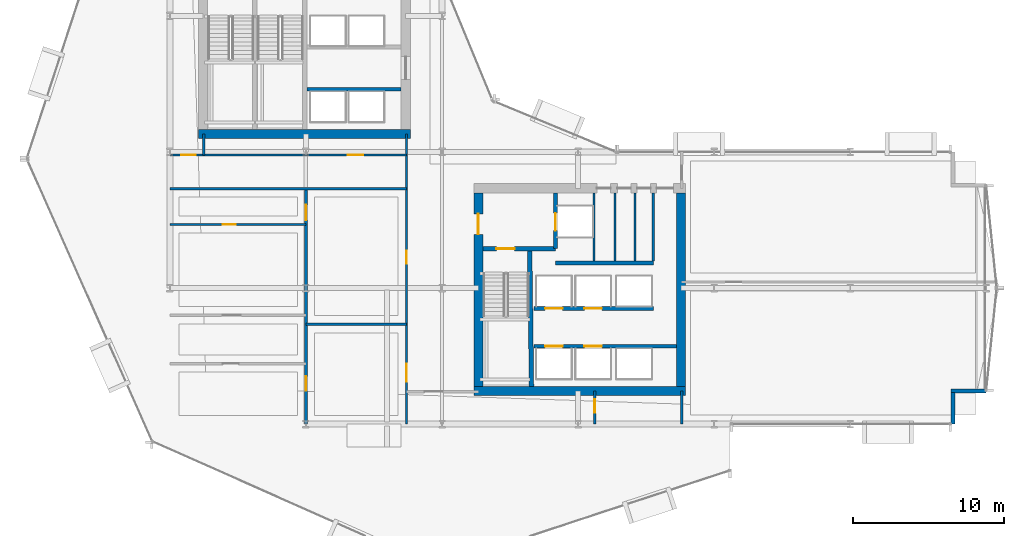
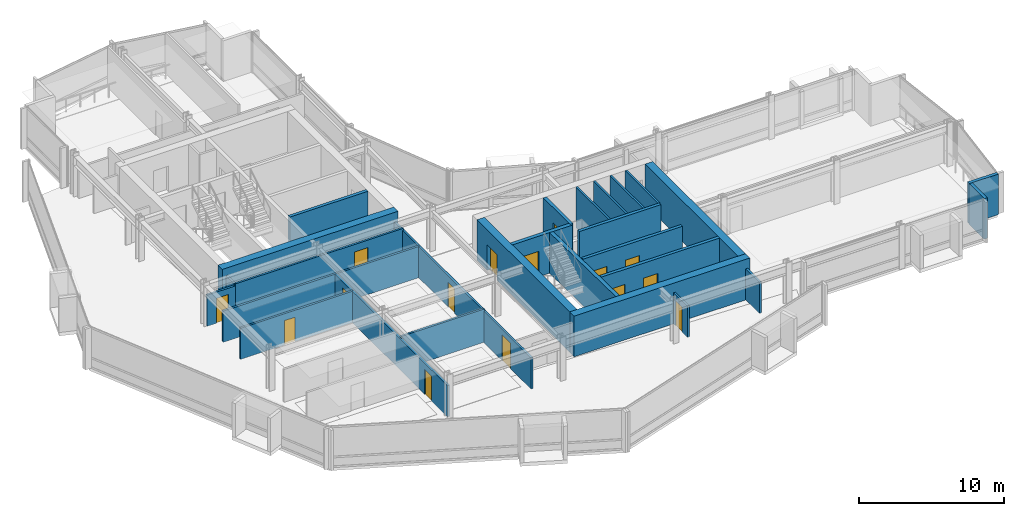
# One storey, part 27 of 34: 27 walls, 15 doors, 15 openings.
"""IFC4 building model written with IfcOpenShell, lengths in metres."""

import ifcopenshell
import ifcopenshell.guid

model = None  # the IFC model being written
_history = None  # IfcOwnerHistory: only IFC2X3 demands one
_inside = {}  # id of a spatial element -> (the spatial element, [elements in it])
_under = {}  # id of a project, library or spatial element -> (it, [spatial elements below it])
_declared = {}  # id of a project -> (the project, [libraries it declares])
_typed = {}  # id of a type object -> (the type object, [elements of that type])
_made_of = {}  # id of a material, layer set ... -> (it, [elements and type objects made of it])


def new_model(schema):
    """Start an empty IFC model of exactly this schema.

    Asked for "IFC4X3", IfcOpenShell would pick the latest addendum, in which some entities
    have other attributes; the version numbers below select the first issue.
    IFC2X3 requires an IfcOwnerHistory on every rooted entity: one is made here for all.
    """
    global model, _history
    if schema == "IFC4X3":
        model = ifcopenshell.file(schema_version=(4, 3, 0, 0))
    else:
        model = ifcopenshell.file(schema=schema)
    _inside.clear()
    _under.clear()
    _declared.clear()
    _typed.clear()
    _made_of.clear()
    _history = None
    if model.schema == "IFC2X3":
        org = make("IfcOrganization", Name="unknown")
        user = make(
            "IfcPersonAndOrganization",
            ThePerson=make("IfcPerson", FamilyName="unknown"),
            TheOrganization=org,
        )
        app = make(
            "IfcApplication",
            ApplicationDeveloper=org,
            Version="unknown",
            ApplicationFullName="unknown",
            ApplicationIdentifier="unknown",
        )
        _history = make(
            "IfcOwnerHistory",
            OwningUser=user,
            OwningApplication=app,
            ChangeAction="ADDED",
            CreationDate=0,
        )
    return model


def make(cls, **values):
    """One entity of the class cls with the attributes given. An attribute that is None is left unset."""
    return model.create_entity(
        cls, **{name: value for name, value in values.items() if value is not None}
    )


def rooted(cls, **values):
    """An entity with a GlobalId (a new one), such as an element, a storey or a relation."""
    return make(cls, GlobalId=ifcopenshell.guid.new(), OwnerHistory=_history, **values)


def si_unit(unit_type, name, prefix=None):
    """IfcSIUnit, for example si_unit("LENGTHUNIT", "METRE", prefix="MILLI")."""
    return make("IfcSIUnit", UnitType=unit_type, Prefix=prefix, Name=name)


def assignment(units):
    """IfcUnitAssignment: the units of a project."""
    return None if units is None else make("IfcUnitAssignment", Units=units)


def point(xyz):
    """IfcCartesianPoint."""
    return None if xyz is None else make("IfcCartesianPoint", Coordinates=xyz)


def direction(xyz):
    """IfcDirection."""
    return None if xyz is None else make("IfcDirection", DirectionRatios=xyz)


def frame(location, z_axis=None, x_axis=None):
    """IfcAxis2Placement3D, a coordinate frame: its origin and axes. An axis left out is left unset."""
    return make(
        "IfcAxis2Placement3D",
        Location=point(location),
        Axis=direction(z_axis),
        RefDirection=direction(x_axis),
    )


def frame_2d(location, x_axis=None):
    """IfcAxis2Placement2D, a coordinate frame in the plane: its origin and x axis."""
    return make(
        "IfcAxis2Placement2D", Location=point(location), RefDirection=direction(x_axis)
    )


def origin():
    """The frame at (0, 0, 0) with its axes left unset."""
    return frame((0.0, 0.0, 0.0))


def place(relative_to, where):
    """IfcLocalPlacement: puts the frame where relative to a parent placement (None: the world)."""
    return make(
        "IfcLocalPlacement", PlacementRelTo=relative_to, RelativePlacement=where
    )


def context(
    kind, dimensions, precision=None, world=None, true_north=None, identifier=None
):
    """IfcGeometricRepresentationContext, for example the 3D "Model" context."""
    return make(
        "IfcGeometricRepresentationContext",
        ContextIdentifier=identifier,
        ContextType=kind,
        CoordinateSpaceDimension=dimensions,
        Precision=precision,
        WorldCoordinateSystem=world,
        TrueNorth=true_north,
    )


def subcontext(parent, identifier, kind, view, scale=None):
    """IfcGeometricRepresentationSubContext, for example "Body" below "Model"."""
    return make(
        "IfcGeometricRepresentationSubContext",
        ContextIdentifier=identifier,
        ContextType=kind,
        ParentContext=parent,
        TargetScale=scale,
        TargetView=view,
    )


def project(units=None, contexts=None):
    """IfcProject with its units and contexts."""
    return rooted(
        "IfcProject",
        Name="project",
        RepresentationContexts=contexts,
        UnitsInContext=assignment(units),
    )


def spatial(cls, under=None, at=None, **own):
    """A site, building, storey or space (cls), placed at a placement, below another one or the project."""
    s = rooted(cls, ObjectPlacement=at, **own)
    if under is not None:
        _under.setdefault(under.id(), (under, []))[1].append(s)
    return s


def profile(cls, at=None, kind="AREA", **sizes):
    """A parametric profile (cls). Its sizes go by their IFC names, for example OverallWidth=200.0."""
    return make(cls, ProfileType=kind, Position=at, **sizes)


def rectangle(**sizes):
    """IfcRectangleProfileDef."""
    return profile("IfcRectangleProfileDef", **sizes)


def extrude(swept, where, along, depth):
    """IfcExtrudedAreaSolid: the profile swept, set in the frame where, extruded along a direction by depth."""
    return make(
        "IfcExtrudedAreaSolid",
        SweptArea=swept,
        Position=where,
        ExtrudedDirection=direction(along),
        Depth=depth,
    )


def shape(context_of_items, identifier, shape_type, items):
    """IfcShapeRepresentation: the items that make up one representation, for example the "Body"."""
    return make(
        "IfcShapeRepresentation",
        ContextOfItems=context_of_items,
        RepresentationIdentifier=identifier,
        RepresentationType=shape_type,
        Items=items,
    )


def material(Name=None, Category=None):
    """IfcMaterial."""
    return make("IfcMaterial", Name=Name, Category=Category)


def layer(
    of_material, thickness, ventilated=None, Name=None, Category=None, Priority=None
):
    """IfcMaterialLayer: one layer of a wall or slab, of a material (None: an air gap)."""
    return make(
        "IfcMaterialLayer",
        Material=of_material,
        LayerThickness=thickness,
        IsVentilated=ventilated,
        Name=Name,
        Category=Category,
        Priority=Priority,
    )


def layer_set(layers, Name=None):
    """IfcMaterialLayerSet."""
    return make("IfcMaterialLayerSet", MaterialLayers=layers, LayerSetName=Name)


def made_of(thing, what):
    """Note that an element or type object is made of a material, layer set ...; save() writes the relation."""
    if what is not None:
        _made_of.setdefault(what.id(), (what, []))[1].append(thing)
    return thing


def type_object(cls, material=None, **own):
    """A type object (cls), such as IfcWallType, which elements share."""
    return made_of(rooted(cls, **own), material)


def element(
    cls,
    number,
    at=None,
    inside=None,
    cuts=None,
    type_object=None,
    material=None,
    context=None,
    identifier="Body",
    shape_type=None,
    held_by="IfcProductDefinitionShape",
    body=None,
    shapes=None,
    **own,
):
    """One element of the class cls, such as IfcWall. Its Tag is "e" and its number.

    at: its placement. inside: the storey or other place that contains it. cuts: it is an
    opening in that element (IfcRelVoidsElement). A single representation is given by context,
    identifier, shape_type and body (its items); several are given by shapes. held_by: the class
    of the entity that holds the representations. save() writes the other relations.
    """
    e = rooted(cls, Tag="e%d" % number, ObjectPlacement=at, **own)
    if body is not None:
        shapes = [shape(context, identifier, shape_type, body)]
    if shapes is not None:
        e.Representation = make(held_by, Representations=shapes)
    if inside is not None:
        _inside.setdefault(inside.id(), (inside, []))[1].append(e)
    if cuts is not None:
        rooted(
            "IfcRelVoidsElement", RelatingBuildingElement=cuts, RelatedOpeningElement=e
        )
    if type_object is not None:
        _typed.setdefault(type_object.id(), (type_object, []))[1].append(e)
    return made_of(e, material)


def fill(opening, filler):
    """IfcRelFillsElement: the door or window that sits in an opening."""
    return rooted(
        "IfcRelFillsElement",
        RelatingOpeningElement=opening,
        RelatedBuildingElement=filler,
    )


def aggregate(whole, parts):
    """IfcRelAggregates: a whole, such as a stair, and the parts it consists of."""
    return rooted("IfcRelAggregates", RelatingObject=whole, RelatedObjects=parts)


def save(model, path):
    """Write the relations noted so far, then the file.

    IfcRelAggregates (storeys below a building ...), IfcRelContainedInSpatialStructure (elements
    in a storey), IfcRelDefinesByType, IfcRelAssociatesMaterial and IfcRelDeclares: one each for
    every whole, place, type object, material and project.
    """
    for whole, parts in _under.values():
        aggregate(whole, parts)
    for where, things in _inside.values():
        rooted(
            "IfcRelContainedInSpatialStructure",
            RelatedElements=things,
            RelatingStructure=where,
        )
    for kind, things in _typed.values():
        rooted("IfcRelDefinesByType", RelatedObjects=things, RelatingType=kind)
    for what, things in _made_of.values():
        rooted("IfcRelAssociatesMaterial", RelatedObjects=things, RelatingMaterial=what)
    for by, libraries in _declared.values():
        rooted("IfcRelDeclares", RelatingContext=by, RelatedDefinitions=libraries)
    model.write(path)


model = new_model("IFC4")

# Units and contexts
model_context = context("Model", 3, precision=1e-05, world=origin(), true_north=direction((0.0, 1.0)))
body_context = subcontext(model_context, "Body", "Model", "MODEL_VIEW")
ifc_project = project(units=[si_unit("LENGTHUNIT", "METRE"), si_unit("AREAUNIT", "SQUARE_METRE"), si_unit("VOLUMEUNIT", "CUBIC_METRE"), si_unit("PLANEANGLEUNIT", "RADIAN"), si_unit("MASSUNIT", "GRAM", prefix="KILO")], contexts=[model_context])

# Site, building, storey
site_placement = place(None, origin())
site = spatial("IfcSite", under=ifc_project, at=site_placement, CompositionType="ELEMENT")
building_placement = place(site_placement, origin())
building = spatial("IfcBuilding", under=site, at=building_placement, Name="Solvaryn Broadcast Tower", CompositionType="ELEMENT")
storey_placement = place(building_placement, frame((0.0, 0.0, 58.199951171875)))
storey = spatial("IfcBuildingStorey", under=building, at=storey_placement, Name="L13", CompositionType="ELEMENT", Elevation=58.199951171875)

# Walls
ifc_material_1 = material(Name="Concrete f'c 70 MPa", Category="concrete")
ifc_layer_1 = layer(ifc_material_1, 0.60009765625)
ifc_layer_set_1 = layer_set([ifc_layer_1], Name="CW-SHEAR-600")
wall_type_1 = type_object("IfcWallType", Name="CW-SHEAR-600", PredefinedType="SHEAR", material=ifc_layer_set_1)
for number, where, z_axis, x_axis, name in (
    (1, (10.89990234375, 28.199951171875, 0.0), (0.0, 0.0, 1.0), (1.0, 0.0, 0.0), "L13 West Core South Shear Wall"),
    (2, (29.10009765625, 11.199951171875, 0.0), (0.0, 0.0, 1.0), (1.0, 0.0, 0.0), "L13 East Core South Shear Wall"),
):
    element("IfcWall", number, at=place(storey_placement, frame(where, z_axis=z_axis, x_axis=x_axis)), inside=storey, type_object=wall_type_1, Name=name, PredefinedType="SHEAR", context=body_context, shape_type="SweptSolid", body=[
        extrude(rectangle(XDim=14.0, YDim=0.60009765625, at=frame_2d((7.0, 0.0))), origin(), (0.0, 0.0, 1.0), 3.420166015625),
    ])

# Wall, opening, door
wall_1_placement = place(storey_placement, frame((29.39990234375, 24.300048828125, 0.0), z_axis=(0.0, 0.0, 1.0), x_axis=(0.0, -1.0, 0.0)))
wall_1 = element("IfcWall", 3, at=wall_1_placement, inside=storey, type_object=wall_type_1, Name="L13 East Core West Shear Wall", PredefinedType="SHEAR", context=body_context, shape_type="SweptSolid", body=[
    extrude(rectangle(XDim=12.800048828125, YDim=0.60009765625, at=frame_2d((6.39990234375, 0.0))), origin(), (0.0, 0.0, 1.0), 3.420166015625),
])
opening_1_placement = place(wall_1_placement, frame((1.39990234375, 0.0, 0.0)))
opening_1 = element("IfcOpeningElement", 4, at=opening_1_placement, cuts=wall_1, Name="Opening FD90B", PredefinedType="OPENING", context=body_context, shape_type="SweptSolid", body=[
    extrude(rectangle(XDim=1.35009765625, YDim=2.14990234375, at=frame_2d((0.675048828125, 1.074951171875))), frame((0.0, 0.31005859375, 0.0), z_axis=(0.0, -1.0, 0.0), x_axis=(1.0, 0.0, 0.0)), (0.0, 0.0, 1.0), 0.6201171875),
])
ifc_material_2 = material(Name="Flush Acoustic Steel and Timber Door Assembly", Category="steel")
door_type_1 = type_object("IfcDoorType", Name="FD90-LOBBY-1350X2150", OperationType="NOTDEFINED", PredefinedType="DOOR", material=ifc_material_2)
door_1_placement = place(opening_1_placement, origin())
door_1 = element("IfcDoor", 5, at=door_1_placement, inside=storey, type_object=door_type_1, Name="L13 East FSAE Lobby Door", OperationType="SINGLE_SWING_RIGHT", OverallHeight=2.14990234375, OverallWidth=1.35009765625, PredefinedType="DOOR", context=body_context, shape_type="SweptSolid", body=[
    extrude(rectangle(XDim=1.35009765625, YDim=2.14990234375, at=frame_2d((0.675048828125, 1.074951171875))), frame((0.0, 0.02490234375, 0.0), z_axis=(0.0, -1.0, 0.0), x_axis=(1.0, 0.0, 0.0)), (0.0, 0.0, 1.0), 0.050048828125),
])
fill(opening_1, door_1)

# Walls
wall_2_placement = place(storey_placement, frame((42.800048828125, 11.5, 0.0), z_axis=(0.0, 0.0, 1.0), x_axis=(0.0, 1.0, 0.0)))
element("IfcWall", 6, at=wall_2_placement, inside=storey, type_object=wall_type_1, Name="L13 East Core East Shear Wall", PredefinedType="SHEAR", context=body_context, shape_type="SweptSolid", body=[
    extrude(rectangle(XDim=12.800048828125, YDim=0.60009765625, at=frame_2d((6.39990234375, 0.0))), origin(), (0.0, 0.0, 1.0), 3.420166015625),
])
ifc_material_3 = material(Name="Concrete f'c 50 MPa", Category="concrete")
ifc_layer_2 = layer(ifc_material_3, 0.260009765625)
ifc_layer_set_2 = layer_set([ifc_layer_2], Name="EW-PIER-260")
wall_type_2 = type_object("IfcWallType", Name="EW-PIER-260", PredefinedType="SOLIDWALL", material=ifc_layer_set_2)
wall_3_placement = place(storey_placement, frame((60.800048828125, 9.0, 0.0), z_axis=(0.0, 0.0, 1.0), x_axis=(0.0, 1.0, 0.0)))
element("IfcWall", 7, at=wall_3_placement, inside=storey, type_object=wall_type_2, Name="L13 Notched Corner Pier Wall NSE1", PredefinedType="SOLIDWALL", context=body_context, shape_type="SweptSolid", body=[
    extrude(rectangle(XDim=2.080078125, YDim=0.260009765625, at=frame_2d((1.0400390625, 0.0))), origin(), (0.0, 0.0, 1.0), 3.420166015625),
])
wall_4_placement = place(storey_placement, frame((60.679931640625, 11.199951171875, 0.0), z_axis=(0.0, 0.0, 1.0), x_axis=(1.0, 0.0, 0.0)))
element("IfcWall", 8, at=wall_4_placement, inside=storey, type_object=wall_type_2, Name="L13 Notched Corner Pier Wall NSE2", PredefinedType="SOLIDWALL", context=body_context, shape_type="SweptSolid", body=[
    extrude(rectangle(XDim=2.320068359375, YDim=0.260009765625, at=frame_2d((1.16015625, 0.0))), origin(), (0.0, 0.0, 1.0), 3.420166015625),
])
ifc_material_4 = material(Name="Metal-Stud Service Core Partition")
ifc_layer_3 = layer(ifc_material_4, 0.14990234375)
ifc_layer_set_3 = layer_set([ifc_layer_3], Name="IW-PART-150")
wall_type_3 = type_object("IfcWallType", Name="IW-PART-150", PredefinedType="PARTITIONING", material=ifc_layer_set_3)
for number, where, z_axis, x_axis, name in (
    (9, (37.050048828125, 19.780029296875, 0.0), (0.0, 0.0, 1.0), (0.0, 1.0, 0.0), "L13 Interior Partition IW-L13-CE-FL2E"),
    (10, (38.43994140625, 19.780029296875, 0.0), (0.0, 0.0, 1.0), (0.0, 1.0, 0.0), "L13 Interior Partition IW-L13-CE-V1"),
    (11, (39.77001953125, 19.780029296875, 0.0), (0.0, 0.0, 1.0), (0.0, 1.0, 0.0), "L13 Interior Partition IW-L13-CE-V2"),
    (12, (40.97998046875, 19.780029296875, 0.0), (0.0, 0.0, 1.0), (0.0, 1.0, 0.0), "L13 Interior Partition IW-L13-CE-V3"),
):
    element("IfcWall", number, at=place(storey_placement, frame(where, z_axis=z_axis, x_axis=x_axis)), inside=storey, type_object=wall_type_3, Name=name, PredefinedType="PARTITIONING", context=body_context, shape_type="SweptSolid", body=[
        extrude(rectangle(XDim=4.52001953125, YDim=0.14990234375, at=frame_2d((2.260009765625, 0.0))), origin(), (0.0, 0.0, 1.0), 3.420166015625),
    ])

# Wall, opening, door
wall_5_placement = place(storey_placement, frame((37.10009765625, 9.0, 0.0), z_axis=(0.0, 0.0, 1.0), x_axis=(0.0, 1.0, 0.0)))
wall_5 = element("IfcWall", 13, at=wall_5_placement, inside=storey, type_object=wall_type_3, Name="L13 Interior Partition IW-L13-SC-V", PredefinedType="PARTITIONING", context=body_context, shape_type="SweptSolid", body=[
    extrude(rectangle(XDim=2.199951171875, YDim=0.14990234375, at=frame_2d((1.10009765625, 0.0))), origin(), (0.0, 0.0, 1.0), 2.626953125),
])
opening_2_placement = place(wall_5_placement, frame((0.75, 0.0, 0.0)))
opening_2 = element("IfcOpeningElement", 14, at=opening_2_placement, cuts=wall_5, Name="Opening FD60C", PredefinedType="OPENING", context=body_context, shape_type="SweptSolid", body=[
    extrude(rectangle(XDim=0.89990234375, YDim=2.10009765625, at=frame_2d((0.449951171875, 1.050048828125))), frame((0.0, 0.0849609375, 0.0), z_axis=(0.0, -1.0, 0.0), x_axis=(1.0, 0.0, 0.0)), (0.0, 0.0, 1.0), 0.169921875),
])
ifc_material_5 = material(Name="Flush Acoustic Steel and Timber Door Assembly", Category="steel")
door_type_2 = type_object("IfcDoorType", Name="FD60-SERV-900X2100", OperationType="NOTDEFINED", PredefinedType="DOOR", material=ifc_material_5)
door_2_placement = place(opening_2_placement, origin())
door_2 = element("IfcDoor", 15, at=door_2_placement, inside=storey, type_object=door_type_2, Name="L13 Door DR-L13-SC1", OperationType="SINGLE_SWING_LEFT", OverallHeight=2.10009765625, OverallWidth=0.89990234375, PredefinedType="DOOR", context=body_context, shape_type="SweptSolid", body=[
    extrude(rectangle(XDim=0.89990234375, YDim=2.10009765625, at=frame_2d((0.449951171875, 1.050048828125))), frame((0.0, 0.02490234375, 0.0), z_axis=(0.0, -1.0, 0.0), x_axis=(1.0, 0.0, 0.0)), (0.0, 0.0, 1.0), 0.050048828125),
])
fill(opening_2, door_2)

ifc_material_6 = material(Name="Metal-Stud Gypsum Office Partition")
ifc_layer_4 = layer(ifc_material_6, 0.159912109375)
ifc_layer_set_4 = layer_set([ifc_layer_4], Name="IW-PART-160")
wall_type_4 = type_object("IfcWallType", Name="IW-PART-160", PredefinedType="PARTITIONING", material=ifc_layer_set_4)
wall_6_placement = place(storey_placement, frame((9.0, 26.800048828125, 0.0), z_axis=(0.0, 0.0, 1.0), x_axis=(1.0, 0.0, 0.0)))
wall_6 = element("IfcWall", 16, at=wall_6_placement, inside=storey, type_object=wall_type_4, Name="L13 Interior Partition IW-L13-WM-S", PredefinedType="PARTITIONING", context=body_context, shape_type="SweptSolid", body=[
    extrude(rectangle(XDim=2.25, YDim=0.159912109375, at=frame_2d((1.125, 0.0))), origin(), (0.0, 0.0, 1.0), 2.626953125),
])
opening_3_placement = place(wall_6_placement, frame((0.75, 0.0, 0.0)))
opening_3 = element("IfcOpeningElement", 17, at=opening_3_placement, cuts=wall_6, Name="Opening ID01", PredefinedType="OPENING", context=body_context, shape_type="SweptSolid", body=[
    extrude(rectangle(XDim=0.949951171875, YDim=2.10009765625, at=frame_2d((0.47509765625, 1.050048828125))), frame((0.0, 0.090087890625, 0.0), z_axis=(0.0, -1.0, 0.0), x_axis=(1.0, 0.0, 0.0)), (0.0, 0.0, 1.0), 0.179931640625),
])
ifc_material_7 = material(Name="Flush Acoustic Steel and Timber Door Assembly", Category="steel")
door_type_3 = type_object("IfcDoorType", Name="ID-01-950X2100", OperationType="NOTDEFINED", PredefinedType="DOOR", material=ifc_material_7)
door_3_placement = place(opening_3_placement, origin())
door_3 = element("IfcDoor", 18, at=door_3_placement, inside=storey, type_object=door_type_3, Name="L13 Door DR-L13-WM0", OperationType="SINGLE_SWING_LEFT", OverallHeight=2.10009765625, OverallWidth=0.949951171875, PredefinedType="DOOR", context=body_context, shape_type="SweptSolid", body=[
    extrude(rectangle(XDim=0.949951171875, YDim=2.10009765625, at=frame_2d((0.47509765625, 1.050048828125))), frame((0.0, 0.02490234375, 0.0), z_axis=(0.0, -1.0, 0.0), x_axis=(1.0, 0.0, 0.0)), (0.0, 0.0, 1.0), 0.050048828125),
])
fill(opening_3, door_3)

# Wall, openings, doors
wall_7_placement = place(storey_placement, frame((24.64990234375, 9.0, 0.0), z_axis=(0.0, 0.0, 1.0), x_axis=(0.0, 1.0, 0.0)))
wall_7 = element("IfcWall", 19, at=wall_7_placement, inside=storey, type_object=wall_type_4, Name="L13 Interior Partition IW-L13-SW-EB", PredefinedType="PARTITIONING", context=body_context, shape_type="SweptSolid", body=[
    extrude(rectangle(XDim=19.199951171875, YDim=0.159912109375, at=frame_2d((9.60009765625, 0.0))), origin(), (0.0, 0.0, 1.0), 2.626953125),
])
opening_4_placement = place(wall_7_placement, frame((2.800048828125, 0.0, 0.0)))
opening_4 = element("IfcOpeningElement", 20, at=opening_4_placement, cuts=wall_7, Name="Opening ID04", PredefinedType="OPENING", context=body_context, shape_type="SweptSolid", body=[
    extrude(rectangle(XDim=1.199951171875, YDim=2.14990234375, at=frame_2d((0.60009765625, 1.074951171875))), frame((0.0, 0.090087890625, 0.0), z_axis=(0.0, -1.0, 0.0), x_axis=(1.0, 0.0, 0.0)), (0.0, 0.0, 1.0), 0.179931640625),
])
opening_5_placement = place(wall_7_placement, frame((10.590087890625, 0.0, 0.0)))
opening_5 = element("IfcOpeningElement", 21, at=opening_5_placement, cuts=wall_7, Name="Opening ID07", PredefinedType="OPENING", context=body_context, shape_type="SweptSolid", body=[
    extrude(rectangle(XDim=0.860107421875, YDim=2.050048828125, at=frame_2d((0.43017578125, 1.02490234375))), frame((0.0, 0.090087890625, 0.0), z_axis=(0.0, -1.0, 0.0), x_axis=(1.0, 0.0, 0.0)), (0.0, 0.0, 1.0), 0.179931640625),
])
ifc_material_8 = material(Name="Flush Acoustic Steel and Timber Door Assembly", Category="steel")
door_type_4 = type_object("IfcDoorType", Name="ID-04-1200X2150", OperationType="NOTDEFINED", PredefinedType="DOOR", material=ifc_material_8)
door_4_placement = place(opening_4_placement, origin())
door_4 = element("IfcDoor", 22, at=door_4_placement, inside=storey, type_object=door_type_4, Name="L13 Door DR-L13-SWE-1", OperationType="SINGLE_SWING_RIGHT", OverallHeight=2.14990234375, OverallWidth=1.199951171875, PredefinedType="DOOR", context=body_context, shape_type="SweptSolid", body=[
    extrude(rectangle(XDim=1.199951171875, YDim=2.14990234375, at=frame_2d((0.60009765625, 1.074951171875))), frame((0.0, 0.02490234375, 0.0), z_axis=(0.0, -1.0, 0.0), x_axis=(1.0, 0.0, 0.0)), (0.0, 0.0, 1.0), 0.050048828125),
])
fill(opening_4, door_4)
ifc_material_9 = material(Name="Flush Acoustic Steel and Timber Door Assembly", Category="steel")
door_type_5 = type_object("IfcDoorType", Name="ID-07-860X2050", OperationType="NOTDEFINED", PredefinedType="DOOR", material=ifc_material_9)
door_5_placement = place(opening_5_placement, origin())
door_5 = element("IfcDoor", 23, at=door_5_placement, inside=storey, type_object=door_type_5, Name="L13 Door DR-L13-SWE-2", OperationType="SINGLE_SWING_LEFT", OverallHeight=2.050048828125, OverallWidth=0.860107421875, PredefinedType="DOOR", context=body_context, shape_type="SweptSolid", body=[
    extrude(rectangle(XDim=0.860107421875, YDim=2.050048828125, at=frame_2d((0.43017578125, 1.02490234375))), frame((0.0, 0.02490234375, 0.0), z_axis=(0.0, -1.0, 0.0), x_axis=(1.0, 0.0, 0.0)), (0.0, 0.0, 1.0), 0.050048828125),
])
fill(opening_5, door_5)

# Wall
wall_8_placement = place(storey_placement, frame((9.0, 24.580078125, 0.0), z_axis=(0.0, 0.0, 1.0), x_axis=(1.0, 0.0, 0.0)))
element("IfcWall", 24, at=wall_8_placement, inside=storey, type_object=wall_type_4, Name="L13 Interior Partition IW-L13-SW-NB", PredefinedType="PARTITIONING", context=body_context, shape_type="SweptSolid", body=[
    extrude(rectangle(XDim=15.64990234375, YDim=0.159912109375, at=frame_2d((7.824951171875, 0.0))), origin(), (0.0, 0.0, 1.0), 2.626953125),
])

# Wall, opening, door
wall_9_placement = place(storey_placement, frame((11.25, 26.800048828125, 0.0), z_axis=(0.0, 0.0, 1.0), x_axis=(1.0, 0.0, 0.0)))
wall_9 = element("IfcWall", 25, at=wall_9_placement, inside=storey, type_object=wall_type_4, Name="L13 Interior Partition IW-L13-SW-N2", PredefinedType="PARTITIONING", context=body_context, shape_type="SweptSolid", body=[
    extrude(rectangle(XDim=13.39990234375, YDim=0.159912109375, at=frame_2d((6.699951171875, 0.0))), origin(), (0.0, 0.0, 1.0), 2.7890625),
])
opening_6_placement = place(wall_9_placement, frame((9.5, 0.0, 0.0)))
opening_6 = element("IfcOpeningElement", 26, at=opening_6_placement, cuts=wall_9, Name="Opening ID03", PredefinedType="OPENING", context=body_context, shape_type="SweptSolid", body=[
    extrude(rectangle(XDim=1.050048828125, YDim=2.14990234375, at=frame_2d((0.52490234375, 1.074951171875))), frame((0.0, 0.090087890625, 0.0), z_axis=(0.0, -1.0, 0.0), x_axis=(1.0, 0.0, 0.0)), (0.0, 0.0, 1.0), 0.179931640625),
])
ifc_material_10 = material(Name="Flush Acoustic Steel and Timber Door Assembly", Category="steel")
door_type_6 = type_object("IfcDoorType", Name="ID-03-1050X2150", OperationType="NOTDEFINED", PredefinedType="DOOR", material=ifc_material_10)
door_6_placement = place(opening_6_placement, origin())
door_6 = element("IfcDoor", 27, at=door_6_placement, inside=storey, type_object=door_type_6, Name="L13 Door DR-L13-SW-ALC", OperationType="SINGLE_SWING_LEFT", OverallHeight=2.14990234375, OverallWidth=1.050048828125, PredefinedType="DOOR", context=body_context, shape_type="SweptSolid", body=[
    extrude(rectangle(XDim=1.050048828125, YDim=2.14990234375, at=frame_2d((0.52490234375, 1.074951171875))), frame((0.0, 0.02490234375, 0.0), z_axis=(0.0, -1.0, 0.0), x_axis=(1.0, 0.0, 0.0)), (0.0, 0.0, 1.0), 0.050048828125),
])
fill(opening_6, door_6)

# Walls
wall_10_placement = place(storey_placement, frame((11.25, 26.800048828125, 0.0), z_axis=(0.0, 0.0, 1.0), x_axis=(0.0, 1.0, 0.0)))
element("IfcWall", 28, at=wall_10_placement, inside=storey, type_object=wall_type_4, Name="L13 Interior Partition IW-L13-SW-ALW", PredefinedType="PARTITIONING", context=body_context, shape_type="SweptSolid", body=[
    extrude(rectangle(XDim=1.39990234375, YDim=0.159912109375, at=frame_2d((0.699951171875, 0.0))), origin(), (0.0, 0.0, 1.0), 2.7890625),
])
wall_11_placement = place(storey_placement, frame((18.0, 15.60009765625, 0.0), z_axis=(0.0, 0.0, 1.0), x_axis=(1.0, 0.0, 0.0)))
element("IfcWall", 29, at=wall_11_placement, inside=storey, type_object=wall_type_4, Name="L13 Interior Partition IW-L13-SWE-H1", PredefinedType="PARTITIONING", context=body_context, shape_type="SweptSolid", body=[
    extrude(rectangle(XDim=6.64990234375, YDim=0.159912109375, at=frame_2d((3.324951171875, 0.0))), origin(), (0.0, 0.0, 1.0), 2.7919921875),
])

# Wall, opening, door
wall_12_placement = place(storey_placement, frame((9.0, 22.199951171875, 0.0), z_axis=(0.0, 0.0, 1.0), x_axis=(1.0, 0.0, 0.0)))
wall_12 = element("IfcWall", 30, at=wall_12_placement, inside=storey, type_object=wall_type_4, Name="L13 Interior Partition IW-L13-SWW-H3", PredefinedType="PARTITIONING", context=body_context, shape_type="SweptSolid", body=[
    extrude(rectangle(XDim=9.0, YDim=0.159912109375, at=frame_2d((4.5, 0.0))), origin(), (0.0, 0.0, 1.0), 2.626953125),
])
opening_7_placement = place(wall_12_placement, frame((3.5, 0.0, 0.0)))
opening_7 = element("IfcOpeningElement", 31, at=opening_7_placement, cuts=wall_12, Name="Opening ID07", PredefinedType="OPENING", context=body_context, shape_type="SweptSolid", body=[
    extrude(rectangle(XDim=0.860107421875, YDim=2.050048828125, at=frame_2d((0.43017578125, 1.02490234375))), frame((0.0, 0.090087890625, 0.0), z_axis=(0.0, -1.0, 0.0), x_axis=(1.0, 0.0, 0.0)), (0.0, 0.0, 1.0), 0.179931640625),
])
door_7_placement = place(opening_7_placement, origin())
door_7 = element("IfcDoor", 32, at=door_7_placement, inside=storey, type_object=door_type_5, Name="L13 Door DR-L13-SWW-3", OperationType="SINGLE_SWING_RIGHT", OverallHeight=2.050048828125, OverallWidth=0.860107421875, PredefinedType="DOOR", context=body_context, shape_type="SweptSolid", body=[
    extrude(rectangle(XDim=0.860107421875, YDim=2.050048828125, at=frame_2d((0.43017578125, 1.02490234375))), frame((0.0, 0.02490234375, 0.0), z_axis=(0.0, -1.0, 0.0), x_axis=(1.0, 0.0, 0.0)), (0.0, 0.0, 1.0), 0.050048828125),
])
fill(opening_7, door_7)

# Wall
wall_13_placement = place(storey_placement, frame((42.85009765625, 9.0, 0.0), z_axis=(0.0, 0.0, 1.0), x_axis=(0.0, 1.0, 0.0)))
element("IfcWall", 33, at=wall_13_placement, inside=storey, type_object=wall_type_4, Name="L13 Interior Partition IW-L13-SC-E", PredefinedType="PARTITIONING", context=body_context, shape_type="SweptSolid", body=[
    extrude(rectangle(XDim=2.199951171875, YDim=0.159912109375, at=frame_2d((1.10009765625, 0.0))), origin(), (0.0, 0.0, 1.0), 2.626953125),
])

# Wall, openings, doors
ifc_material_11 = material(Name="Acoustic Metal-Stud Gypsum Partition")
ifc_layer_5 = layer(ifc_material_11, 0.179931640625)
ifc_layer_set_5 = layer_set([ifc_layer_5], Name="IW-PART-180")
wall_type_5 = type_object("IfcWallType", Name="IW-PART-180", PredefinedType="PARTITIONING", material=ifc_layer_set_5)
wall_14_placement = place(storey_placement, frame((18.0, 9.0, 0.0), z_axis=(0.0, 0.0, 1.0), x_axis=(0.0, 1.0, 0.0)))
wall_14 = element("IfcWall", 34, at=wall_14_placement, inside=storey, type_object=wall_type_5, Name="L13 Interior Partition IW-L13-SW-VX", PredefinedType="PARTITIONING", context=body_context, shape_type="SweptSolid", body=[
    extrude(rectangle(XDim=15.580078125, YDim=0.179931640625, at=frame_2d((7.7900390625, 0.0))), origin(), (0.0, 0.0, 1.0), 2.626953125),
])
opening_8_placement = place(wall_14_placement, frame((2.199951171875, 0.0, 0.0)))
opening_8 = element("IfcOpeningElement", 35, at=opening_8_placement, cuts=wall_14, Name="Opening ID01", PredefinedType="OPENING", context=body_context, shape_type="SweptSolid", body=[
    extrude(rectangle(XDim=0.949951171875, YDim=2.10009765625, at=frame_2d((0.47509765625, 1.050048828125))), frame((0.0, 0.099853515625, 0.0), z_axis=(0.0, -1.0, 0.0), x_axis=(1.0, 0.0, 0.0)), (0.0, 0.0, 1.0), 0.199951171875),
])
opening_9_placement = place(wall_14_placement, frame((13.5, 0.0, 0.0)))
opening_9 = element("IfcOpeningElement", 36, at=opening_9_placement, cuts=wall_14, Name="Opening ID02", PredefinedType="OPENING", context=body_context, shape_type="SweptSolid", body=[
    extrude(rectangle(XDim=1.0, YDim=2.10009765625, at=frame_2d((0.5, 1.050048828125))), frame((0.0, 0.099853515625, 0.0), z_axis=(0.0, -1.0, 0.0), x_axis=(1.0, 0.0, 0.0)), (0.0, 0.0, 1.0), 0.199951171875),
])
door_8_placement = place(opening_8_placement, origin())
door_8 = element("IfcDoor", 37, at=door_8_placement, inside=storey, type_object=door_type_3, Name="L13 Door DR-L13-SWW-X1", OperationType="SINGLE_SWING_RIGHT", OverallHeight=2.10009765625, OverallWidth=0.949951171875, PredefinedType="DOOR", context=body_context, shape_type="SweptSolid", body=[
    extrude(rectangle(XDim=0.949951171875, YDim=2.10009765625, at=frame_2d((0.47509765625, 1.050048828125))), frame((0.0, 0.02490234375, 0.0), z_axis=(0.0, -1.0, 0.0), x_axis=(1.0, 0.0, 0.0)), (0.0, 0.0, 1.0), 0.050048828125),
])
fill(opening_8, door_8)
ifc_material_12 = material(Name="Flush Acoustic Steel and Timber Door Assembly", Category="steel")
door_type_7 = type_object("IfcDoorType", Name="ID-02-1000X2100", OperationType="NOTDEFINED", PredefinedType="DOOR", material=ifc_material_12)
door_9_placement = place(opening_9_placement, origin())
door_9 = element("IfcDoor", 38, at=door_9_placement, inside=storey, type_object=door_type_7, Name="L13 Door DR-L13-SWW-X2", OperationType="SINGLE_SWING_LEFT", OverallHeight=2.10009765625, OverallWidth=1.0, PredefinedType="DOOR", context=body_context, shape_type="SweptSolid", body=[
    extrude(rectangle(XDim=1.0, YDim=2.10009765625, at=frame_2d((0.5, 1.050048828125))), frame((0.0, 0.02490234375, 0.0), z_axis=(0.0, -1.0, 0.0), x_axis=(1.0, 0.0, 0.0)), (0.0, 0.0, 1.0), 0.050048828125),
])
fill(opening_9, door_9)

# Wall
ifc_material_13 = material(Name="Concrete f'c 60 MPa", Category="concrete")
ifc_layer_6 = layer(ifc_material_13, 0.25)
ifc_layer_set_6 = layer_set([ifc_layer_6], Name="SW-SHAFT-250")
wall_type_6 = type_object("IfcWallType", Name="SW-SHAFT-250", PredefinedType="PARTITIONING", material=ifc_layer_set_6)
wall_15_placement = place(storey_placement, frame((18.070068359375, 31.14990234375, 0.0), z_axis=(0.0, 0.0, 1.0), x_axis=(1.0, 0.0, 0.0)))
element("IfcWall", 39, at=wall_15_placement, inside=storey, type_object=wall_type_6, Name="L13 High-Rise Lift Bank South Wall", PredefinedType="PARTITIONING", context=body_context, shape_type="SweptSolid", body=[
    extrude(rectangle(XDim=6.22998046875, YDim=0.25, at=frame_2d((3.114990234375, 0.0))), origin(), (0.0, 0.0, 1.0), 3.420166015625),
])

# Wall, opening, door
wall_16_placement = place(storey_placement, frame((34.5, 20.60009765625, 0.0), z_axis=(0.0, 0.0, 1.0), x_axis=(0.0, 1.0, 0.0)))
wall_16 = element("IfcWall", 40, at=wall_16_placement, inside=storey, type_object=wall_type_6, Name="L13 East FSAE Lobby East Wall", PredefinedType="PARTITIONING", context=body_context, shape_type="SweptSolid", body=[
    extrude(rectangle(XDim=3.699951171875, YDim=0.25, at=frame_2d((1.85009765625, 0.0))), origin(), (0.0, 0.0, 1.0), 3.420166015625),
])
opening_10_placement = place(wall_16_placement, frame((1.199951171875, 0.0, 0.0)))
opening_10 = element("IfcOpeningElement", 41, at=opening_10_placement, cuts=wall_16, Name="Opening LD01", PredefinedType="OPENING", context=body_context, shape_type="SweptSolid", body=[
    extrude(rectangle(XDim=1.14990234375, YDim=2.14990234375, at=frame_2d((0.574951171875, 1.074951171875))), frame((0.0, 0.135009765625, 0.0), z_axis=(0.0, -1.0, 0.0), x_axis=(1.0, 0.0, 0.0)), (0.0, 0.0, 1.0), 0.27001953125),
])
ifc_material_14 = material(Name="Flush Acoustic Steel and Timber Door Assembly", Category="steel")
door_type_8 = type_object("IfcDoorType", Name="LD-LIFT-1150X2150", OperationType="NOTDEFINED", PredefinedType="DOOR", material=ifc_material_14)
door_10_placement = place(opening_10_placement, origin())
door_10 = element("IfcDoor", 42, at=door_10_placement, inside=storey, type_object=door_type_8, Name="L13 FL2 Lift Landing Door", OperationType="DOUBLE_DOOR_SLIDING", OverallHeight=2.14990234375, OverallWidth=1.14990234375, PredefinedType="DOOR", context=body_context, shape_type="SweptSolid", body=[
    extrude(rectangle(XDim=1.14990234375, YDim=2.14990234375, at=frame_2d((0.574951171875, 1.074951171875))), frame((0.0, 0.02490234375, 0.0), z_axis=(0.0, -1.0, 0.0), x_axis=(1.0, 0.0, 0.0)), (0.0, 0.0, 1.0), 0.050048828125),
])
fill(opening_10, door_10)

# Wall
wall_17_placement = place(storey_placement, frame((34.5, 19.64990234375, 0.0), z_axis=(0.0, 0.0, 1.0), x_axis=(1.0, 0.0, 0.0)))
element("IfcWall", 43, at=wall_17_placement, inside=storey, type_object=wall_type_6, Name="L13 East Core Restroom South Wall", PredefinedType="PARTITIONING", context=body_context, shape_type="SweptSolid", body=[
    extrude(rectangle(XDim=6.47998046875, YDim=0.25, at=frame_2d((3.239990234375, 0.0))), origin(), (0.0, 0.0, 1.0), 3.420166015625),
])

# Wall, openings, doors
wall_18_placement = place(storey_placement, frame((33.070068359375, 14.14990234375, 0.0), z_axis=(0.0, 0.0, 1.0), x_axis=(1.0, 0.0, 0.0)))
wall_18 = element("IfcWall", 44, at=wall_18_placement, inside=storey, type_object=wall_type_6, Name="L13 East Lift Bank South Wall", PredefinedType="PARTITIONING", context=body_context, shape_type="SweptSolid", body=[
    extrude(rectangle(XDim=9.429931640625, YDim=0.25, at=frame_2d((4.71484375, 0.0))), origin(), (0.0, 0.0, 1.0), 3.420166015625),
])
opening_11_placement = place(wall_18_placement, frame((0.7548828125, 0.0, 0.0)))
opening_11 = element("IfcOpeningElement", 45, at=opening_11_placement, cuts=wall_18, Name="Opening LD01", PredefinedType="OPENING", context=body_context, shape_type="SweptSolid", body=[
    extrude(rectangle(XDim=1.14990234375, YDim=2.14990234375, at=frame_2d((0.574951171875, 1.074951171875))), frame((0.0, 0.135009765625, 0.0), z_axis=(0.0, -1.0, 0.0), x_axis=(1.0, 0.0, 0.0)), (0.0, 0.0, 1.0), 0.27001953125),
])
opening_12_placement = place(wall_18_placement, frame((3.35498046875, 0.0, 0.0)))
opening_12 = element("IfcOpeningElement", 46, at=opening_12_placement, cuts=wall_18, Name="Opening LD01", PredefinedType="OPENING", context=body_context, shape_type="SweptSolid", body=[
    extrude(rectangle(XDim=1.14990234375, YDim=2.14990234375, at=frame_2d((0.574951171875, 1.074951171875))), frame((0.0, 0.135009765625, 0.0), z_axis=(0.0, -1.0, 0.0), x_axis=(1.0, 0.0, 0.0)), (0.0, 0.0, 1.0), 0.27001953125),
])
door_11_placement = place(opening_11_placement, origin())
door_11 = element("IfcDoor", 47, at=door_11_placement, inside=storey, type_object=door_type_8, Name="L13 PL1 Lift Landing Door", OperationType="DOUBLE_DOOR_SLIDING", OverallHeight=2.14990234375, OverallWidth=1.14990234375, PredefinedType="DOOR", context=body_context, shape_type="SweptSolid", body=[
    extrude(rectangle(XDim=1.14990234375, YDim=2.14990234375, at=frame_2d((0.574951171875, 1.074951171875))), frame((0.0, 0.02490234375, 0.0), z_axis=(0.0, -1.0, 0.0), x_axis=(1.0, 0.0, 0.0)), (0.0, 0.0, 1.0), 0.050048828125),
])
fill(opening_11, door_11)
door_12_placement = place(opening_12_placement, origin())
door_12 = element("IfcDoor", 48, at=door_12_placement, inside=storey, type_object=door_type_8, Name="L13 PL2 Lift Landing Door", OperationType="DOUBLE_DOOR_SLIDING", OverallHeight=2.14990234375, OverallWidth=1.14990234375, PredefinedType="DOOR", context=body_context, shape_type="SweptSolid", body=[
    extrude(rectangle(XDim=1.14990234375, YDim=2.14990234375, at=frame_2d((0.574951171875, 1.074951171875))), frame((0.0, 0.02490234375, 0.0), z_axis=(0.0, -1.0, 0.0), x_axis=(1.0, 0.0, 0.0)), (0.0, 0.0, 1.0), 0.050048828125),
])
fill(opening_12, door_12)

wall_19_placement = place(storey_placement, frame((40.97998046875, 16.64990234375, 0.0), z_axis=(0.0, 0.0, 1.0), x_axis=(-1.0, 0.0, 0.0)))
wall_19 = element("IfcWall", 49, at=wall_19_placement, inside=storey, type_object=wall_type_6, Name="L13 East Lift Bank North Wall", PredefinedType="PARTITIONING", context=body_context, shape_type="SweptSolid", body=[
    extrude(rectangle(XDim=7.909912109375, YDim=0.25, at=frame_2d((3.955078125, 0.0))), origin(), (0.0, 0.0, 1.0), 3.420166015625),
])
opening_13_placement = place(wall_19_placement, frame((6.0048828125, 0.0, 0.0)))
opening_13 = element("IfcOpeningElement", 50, at=opening_13_placement, cuts=wall_19, Name="Opening LD01", PredefinedType="OPENING", context=body_context, shape_type="SweptSolid", body=[
    extrude(rectangle(XDim=1.14990234375, YDim=2.14990234375, at=frame_2d((0.574951171875, 1.074951171875))), frame((0.0, 0.135009765625, 0.0), z_axis=(0.0, -1.0, 0.0), x_axis=(1.0, 0.0, 0.0)), (0.0, 0.0, 1.0), 0.27001953125),
])
opening_14_placement = place(wall_19_placement, frame((3.405029296875, 0.0, 0.0)))
opening_14 = element("IfcOpeningElement", 51, at=opening_14_placement, cuts=wall_19, Name="Opening LD01", PredefinedType="OPENING", context=body_context, shape_type="SweptSolid", body=[
    extrude(rectangle(XDim=1.14990234375, YDim=2.14990234375, at=frame_2d((0.574951171875, 1.074951171875))), frame((0.0, 0.135009765625, 0.0), z_axis=(0.0, -1.0, 0.0), x_axis=(1.0, 0.0, 0.0)), (0.0, 0.0, 1.0), 0.27001953125),
])
door_13_placement = place(opening_13_placement, origin())
door_13 = element("IfcDoor", 52, at=door_13_placement, inside=storey, type_object=door_type_8, Name="L13 PL3 Lift Landing Door", OperationType="DOUBLE_DOOR_SLIDING", OverallHeight=2.14990234375, OverallWidth=1.14990234375, PredefinedType="DOOR", context=body_context, shape_type="SweptSolid", body=[
    extrude(rectangle(XDim=1.14990234375, YDim=2.14990234375, at=frame_2d((0.574951171875, 1.074951171875))), frame((0.0, 0.02490234375, 0.0), z_axis=(0.0, -1.0, 0.0), x_axis=(1.0, 0.0, 0.0)), (0.0, 0.0, 1.0), 0.050048828125),
])
fill(opening_13, door_13)
door_14_placement = place(opening_14_placement, origin())
door_14 = element("IfcDoor", 53, at=door_14_placement, inside=storey, type_object=door_type_8, Name="L13 PL4 Lift Landing Door", OperationType="DOUBLE_DOOR_SLIDING", OverallHeight=2.14990234375, OverallWidth=1.14990234375, PredefinedType="DOOR", context=body_context, shape_type="SweptSolid", body=[
    extrude(rectangle(XDim=1.14990234375, YDim=2.14990234375, at=frame_2d((0.574951171875, 1.074951171875))), frame((0.0, 0.02490234375, 0.0), z_axis=(0.0, -1.0, 0.0), x_axis=(1.0, 0.0, 0.0)), (0.0, 0.0, 1.0), 0.050048828125),
])
fill(opening_14, door_14)

# Wall
ifc_material_15 = material(Name="Concrete f'c 70 MPa", Category="concrete")
ifc_layer_7 = layer(ifc_material_15, 0.300048828125)
ifc_layer_set_7 = layer_set([ifc_layer_7], Name="SW-SHAFT-300")
wall_type_7 = type_object("IfcWallType", Name="SW-SHAFT-300", PredefinedType="SHEAR", material=ifc_layer_set_7)
wall_20_placement = place(storey_placement, frame((32.919921875, 11.5, 0.0), z_axis=(0.0, 0.0, 1.0), x_axis=(-0.013244407292, 0.999912288991, 0.0)))
element("IfcWall", 54, at=wall_20_placement, inside=storey, type_object=wall_type_7, Name="L13 Stair 3 East Shear Wall", PredefinedType="SHEAR", context=body_context, shape_type="SweptSolid", body=[
    extrude(rectangle(XDim=9.05078125, YDim=0.300048828125, at=frame_2d((4.525390625, 0.0))), origin(), (0.0, 0.0, 1.0), 3.420166015625),
])

# Wall, opening, door
wall_21_placement = place(storey_placement, frame((34.5, 20.60009765625, 0.0), z_axis=(0.0, 0.0, 1.0), x_axis=(-1.0, 0.0, 0.0)))
wall_21 = element("IfcWall", 55, at=wall_21_placement, inside=storey, type_object=wall_type_7, Name="L13 East FSAE Lobby South Wall", PredefinedType="SHEAR", context=body_context, shape_type="SweptSolid", body=[
    extrude(rectangle(XDim=4.800048828125, YDim=0.300048828125, at=frame_2d((2.39990234375, 0.0))), origin(), (0.0, 0.0, 1.0), 3.420166015625),
])
opening_15_placement = place(wall_21_placement, frame((2.699951171875, 0.0, 0.0)))
opening_15 = element("IfcOpeningElement", 56, at=opening_15_placement, cuts=wall_21, Name="Opening FD90A", PredefinedType="OPENING", context=body_context, shape_type="SweptSolid", body=[
    extrude(rectangle(XDim=1.199951171875, YDim=2.14990234375, at=frame_2d((0.60009765625, 1.074951171875))), frame((0.0, 0.159912109375, 0.0), z_axis=(0.0, -1.0, 0.0), x_axis=(1.0, 0.0, 0.0)), (0.0, 0.0, 1.0), 0.320068359375),
])
ifc_material_16 = material(Name="Flush Acoustic Steel and Timber Door Assembly", Category="steel")
door_type_9 = type_object("IfcDoorType", Name="FD90-STAIR-1200X2150", OperationType="NOTDEFINED", PredefinedType="DOOR", material=ifc_material_16)
door_15_placement = place(opening_15_placement, origin())
door_15 = element("IfcDoor", 57, at=door_15_placement, inside=storey, type_object=door_type_9, Name="L13 Stair 3 Fire Door", OperationType="SINGLE_SWING_LEFT", OverallHeight=2.14990234375, OverallWidth=1.199951171875, PredefinedType="DOOR", context=body_context, shape_type="SweptSolid", body=[
    extrude(rectangle(XDim=1.199951171875, YDim=2.14990234375, at=frame_2d((0.60009765625, 1.074951171875))), frame((0.0, 0.02490234375, 0.0), z_axis=(0.0, -1.0, 0.0), x_axis=(1.0, 0.0, 0.0)), (0.0, 0.0, 1.0), 0.050048828125),
])
fill(opening_15, door_15)

save(model, "model.ifc")
